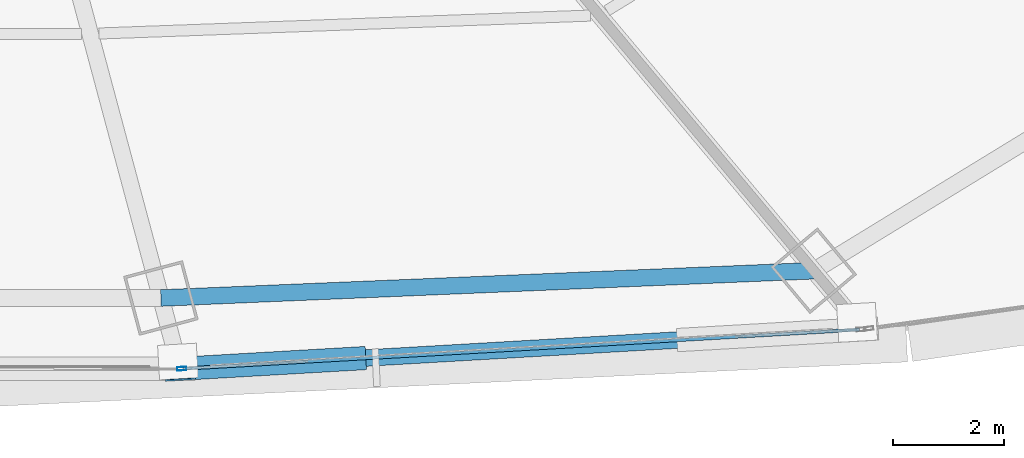
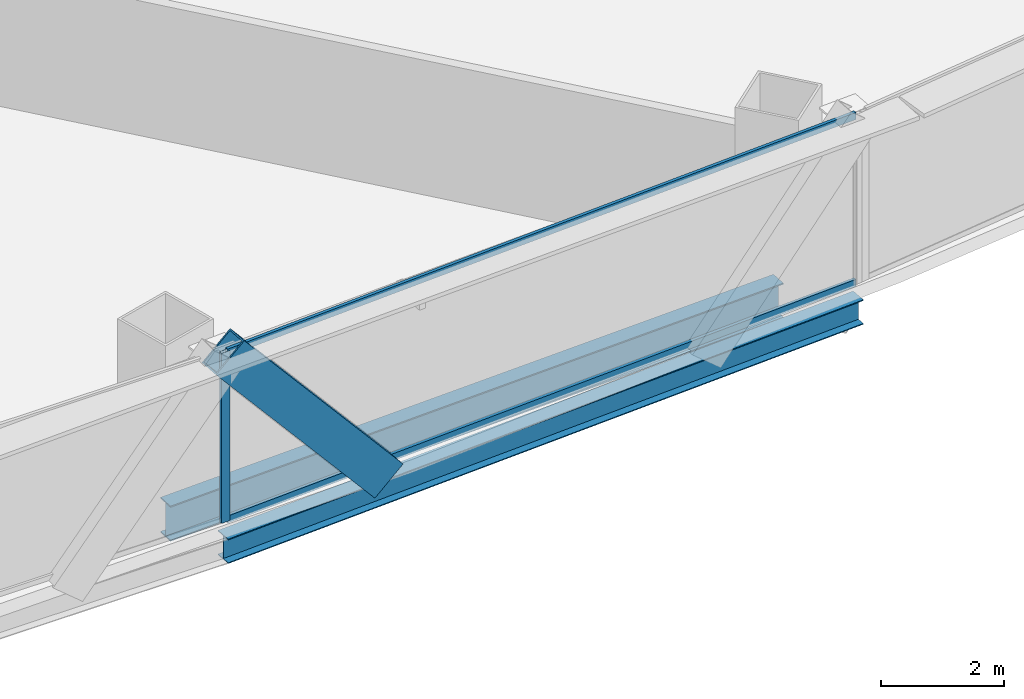
# One storey, part 10 of 37: 4 members, 2 beams, 1 element without a shape of its own.
"""IFC4 building model written with IfcOpenShell, lengths in metres."""

from ifc_helpers import new_model, si_unit, direction, frame, origin, origin_2d, place, context, subcontext, project, spatial, hollow_rectangle, i_section, extrude, source, transform, mapped, material, layer, layer_set, material_profile, profile_set, type_object, element, aggregate, save


model = new_model("IFC4")

# Units and contexts
model_context = context("Model", 3, precision=1e-05, world=origin(), true_north=direction((0.0, 1.0)))
body_context = subcontext(model_context, "Body", "Model", "MODEL_VIEW")
ifc_project = project(units=[si_unit("LENGTHUNIT", "METRE"), si_unit("AREAUNIT", "SQUARE_METRE"), si_unit("VOLUMEUNIT", "CUBIC_METRE"), si_unit("PLANEANGLEUNIT", "RADIAN"), si_unit("MASSUNIT", "GRAM", prefix="KILO"), si_unit("THERMODYNAMICTEMPERATUREUNIT", "KELVIN"), si_unit("POWERUNIT", "WATT")], contexts=[model_context])

# Site, building, storey
site_placement = place(None, origin())
site = spatial("IfcSite", under=ifc_project, at=site_placement, CompositionType="ELEMENT")
building_placement = place(site_placement, origin())
building = spatial("IfcBuilding", under=site, at=building_placement, Name="Yunzhuo Pagoda Commons", CompositionType="ELEMENT")
storey_placement = place(building_placement, frame((0.0, 0.0, 59.43994140625)))
storey = spatial("IfcBuildingStorey", under=building, at=storey_placement, Name="L15", CompositionType="ELEMENT", Elevation=59.43994140625)

# Beams
ifc_material_1 = material(Name="Structural steel Q355B", Category="steel")
ifc_material_profile_1 = material_profile(ifc_material_1, i_section(OverallWidth=0.300048828125, OverallDepth=0.699951171875, WebThickness=0.012939453125, FlangeThickness=0.02392578125, at=origin_2d()), Name="Structural steel Q355B")
ifc_profile_set_1 = profile_set([ifc_material_profile_1], Name="Structural steel Q355B")
beam_type_1 = type_object("IfcBeamType", Name="B-RG1 Beam HN 700x300x13x24", PredefinedType="BEAM", material=ifc_profile_set_1)
shared_shape_1 = source(origin(), body_context, "Body", "SweptSolid", [
    extrude(i_section(OverallWidth=0.300048828125, OverallDepth=0.699951171875, WebThickness=0.012939453125, FlangeThickness=0.02392578125, at=origin_2d()), origin(), (0.0, 0.0, 1.0), 11.7900390625),
])
beam_1_placement = place(storey_placement, frame((53.72021484375, 12.35205078125, -0.60986328125), z_axis=(0.99912739354, 0.041766631146, 0.0), x_axis=(-0.041766631146, 0.99912739354, 0.0)))
element("IfcBeam", 1, at=beam_1_placement, inside=storey, type_object=beam_type_1, Name="L15 column-ring beam 3", PredefinedType="BEAM", context=body_context, shape_type="MappedRepresentation", body=[
    mapped(shared_shape_1, transform((0.0, 0.0, 0.0), scale=1.0)),
])
ifc_material_profile_2 = material_profile(ifc_material_1, i_section(OverallWidth=0.300048828125, OverallDepth=0.488037109375, WebThickness=0.010986328125, FlangeThickness=0.01806640625, at=origin_2d()), Name="Structural steel Q355B")
ifc_profile_set_2 = profile_set([ifc_material_profile_2], Name="Structural steel Q355B")
beam_type_2 = type_object("IfcBeamType", Name="B-SP1 Beam HM 488x300x11x18", PredefinedType="BEAM", material=ifc_profile_set_2)
shared_shape_2 = source(origin(), body_context, "Body", "SweptSolid", [
    extrude(i_section(OverallWidth=0.300048828125, OverallDepth=0.488037109375, WebThickness=0.010986328125, FlangeThickness=0.01806640625, at=origin_2d()), origin(), (0.0, 0.0, 1.0), 12.345703125),
])
beam_2_placement = place(storey_placement, frame((54.0625, 11.07470703125, -0.50390625), z_axis=(0.998336003237, 0.057664760824, 0.0), x_axis=(-0.057664760824, 0.998336003237, 0.0)))
element("IfcBeam", 2, at=beam_2_placement, inside=storey, type_object=beam_type_2, Name="L15 facade edge spandrel beam F1.3", PredefinedType="BEAM", context=body_context, shape_type="MappedRepresentation", body=[
    mapped(shared_shape_2, transform((0.0, 0.0, 0.0), scale=1.0)),
])

# Member
ifc_material_2 = material(Name="Structural steel Q420B", Category="steel")
ifc_material_profile_3 = material_profile(ifc_material_2, hollow_rectangle(XDim=0.419921875, YDim=0.719970703125, WallThickness=0.028076171875, at=origin_2d()), Name="Structural steel Q420B")
ifc_profile_set_3 = profile_set([ifc_material_profile_3], Name="Structural steel Q420B")
member_type_1 = type_object("IfcMemberType", Name="M-DL1 Brace BOX 720x420x28", PredefinedType="BRACE", material=ifc_profile_set_3)
shared_shape_3 = source(origin(), body_context, "Body", "SweptSolid", [
    extrude(hollow_rectangle(XDim=0.419921875, YDim=0.719970703125, WallThickness=0.028076171875, at=origin_2d()), origin(), (0.0, 0.0, 1.0), 4.764892578125),
])
member_1_placement = place(storey_placement, frame((57.143798828125, 11.2529296875, -0.260009765625), z_axis=(-0.646670053051, -0.037403465552, 0.7618522319), x_axis=(0.057743598436, -0.998331446384, 0.0)))
element("IfcMember", 3, at=member_1_placement, inside=storey, type_object=member_type_1, Name="L15 facade diamond brace F1.3L", PredefinedType="BRACE", context=body_context, shape_type="MappedRepresentation", body=[
    mapped(shared_shape_3, transform((0.0, 0.0, 0.0), scale=1.0)),
])

# Curtain wall, members
ifc_material_3 = material(Name="Anodized aluminium 6063-T6", Category="aluminium")
ifc_layer = layer(ifc_material_3, 0.1650390625)
ifc_layer_set = layer_set([ifc_layer], Name="Anodized aluminium 6063-T6")
curtain_wall_type = type_object("IfcCurtainWallType", Name="CW-LOW Low-Zone Ribbon Curtain Wall", PredefinedType="NOTDEFINED", material=ifc_layer_set)
curtain_wall_placement = place(storey_placement, origin())
curtain_wall = element("IfcCurtainWall", 4, at=curtain_wall_placement, inside=storey, type_object=curtain_wall_type, Name="L15 curtain wall CW-L15-F1B4", PredefinedType="NOTDEFINED")
ifc_material_profile_4 = material_profile(ifc_material_3, hollow_rectangle(XDim=0.06494140625, YDim=0.1650390625, WallThickness=0.00390625, at=origin_2d()), Name="Anodized aluminium 6063-T6")
ifc_profile_set_4 = profile_set([ifc_material_profile_4], Name="Anodized aluminium 6063-T6")
member_type_2 = type_object("IfcMemberType", Name="CW-LOW-M Mullion RHS 165x65x4", PredefinedType="MULLION", material=ifc_profile_set_4)
shared_shape_4 = source(origin(), body_context, "Body", "SweptSolid", [
    extrude(hollow_rectangle(XDim=0.06494140625, YDim=0.1650390625, WallThickness=0.00390625, at=origin_2d()), origin(), (0.0, 0.0, 1.0), 3.3701171875),
])
member_2_placement = place(storey_placement, frame((54.094970703125, 11.076416015625, 0.0), z_axis=(0.0, 0.0, 1.0), x_axis=(-0.057664069997, 0.998336043139, 0.0)))
member_2 = element("IfcMember", 5, at=member_2_placement, type_object=member_type_2, Name="CW mullion 1", PredefinedType="MULLION", context=body_context, shape_type="MappedRepresentation", body=[
    mapped(shared_shape_4, transform((0.0, 0.0, 0.0), scale=1.0)),
])
ifc_material_profile_5 = material_profile(ifc_material_3, hollow_rectangle(XDim=0.06005859375, YDim=0.139892578125, WallThickness=0.00341796875, at=origin_2d()), Name="Anodized aluminium 6063-T6")
ifc_profile_set_5 = profile_set([ifc_material_profile_5], Name="Anodized aluminium 6063-T6")
member_type_3 = type_object("IfcMemberType", Name="CW-LOW-T Transom RHS 140x60x3.5", PredefinedType="USERDEFINED", material=ifc_profile_set_5)
shared_shape_5 = source(origin(), body_context, "Body", "SweptSolid", [
    extrude(hollow_rectangle(XDim=0.06005859375, YDim=0.139892578125, WallThickness=0.00341796875, at=origin_2d()), origin(), (0.0, 0.0, 1.0), 12.215576171875),
])
member_3_placement = place(storey_placement, frame((54.12744140625, 11.078369140625, 0.030029296875), z_axis=(0.998336315272, 0.057659358375, 0.0), x_axis=(-0.057659358375, 0.998336315272, 0.0)))
member_3 = element("IfcMember", 6, at=member_3_placement, type_object=member_type_3, Name="CW transom 1.1", ObjectType="TRANSOM", PredefinedType="USERDEFINED", context=body_context, shape_type="MappedRepresentation", body=[
    mapped(shared_shape_5, transform((0.0, 0.0, 0.0), scale=1.0)),
])
member_4_placement = place(storey_placement, frame((54.12744140625, 11.078369140625, 3.340087890625), z_axis=(0.998336315272, 0.057659358375, 0.0), x_axis=(-0.057659358375, 0.998336315272, 0.0)))
member_4 = element("IfcMember", 7, at=member_4_placement, type_object=member_type_3, Name="CW transom 1.2", ObjectType="TRANSOM", PredefinedType="USERDEFINED", context=body_context, shape_type="MappedRepresentation", body=[
    mapped(shared_shape_5, transform((0.0, 0.0, 0.0), scale=1.0)),
])
aggregate(curtain_wall, [member_2, member_3, member_4])

save(model, "model.ifc")
